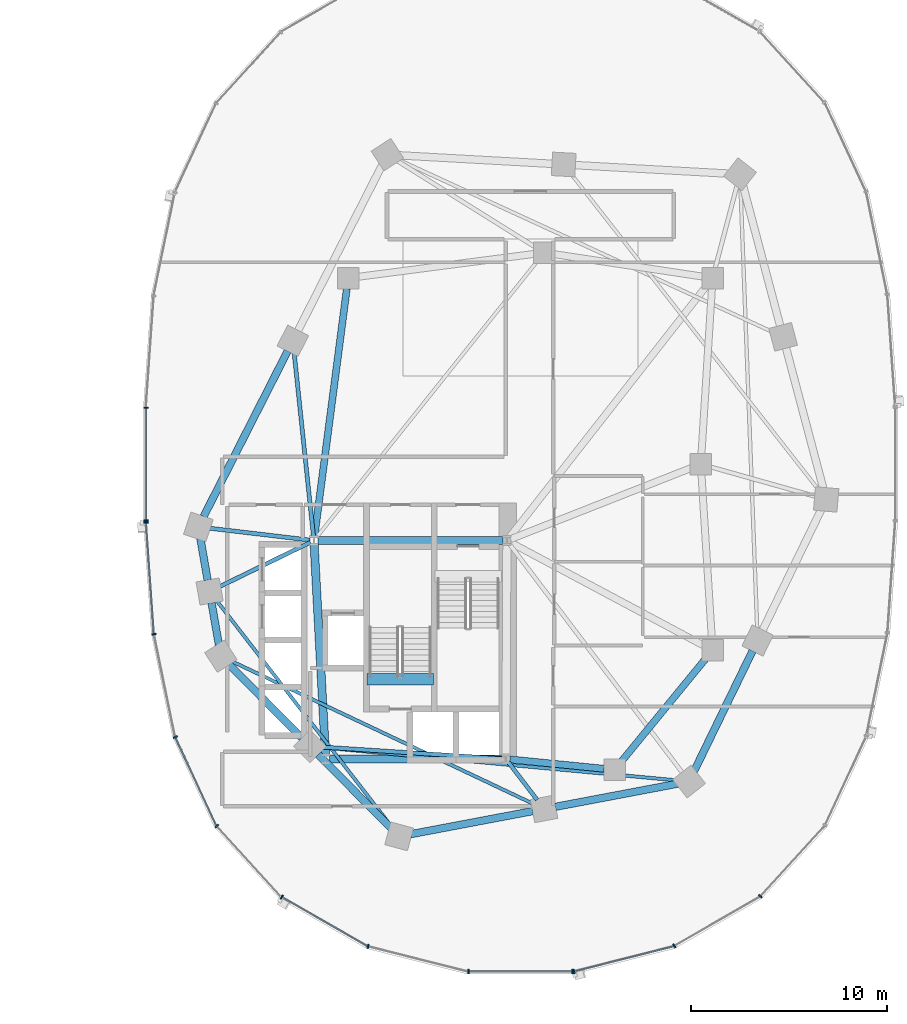
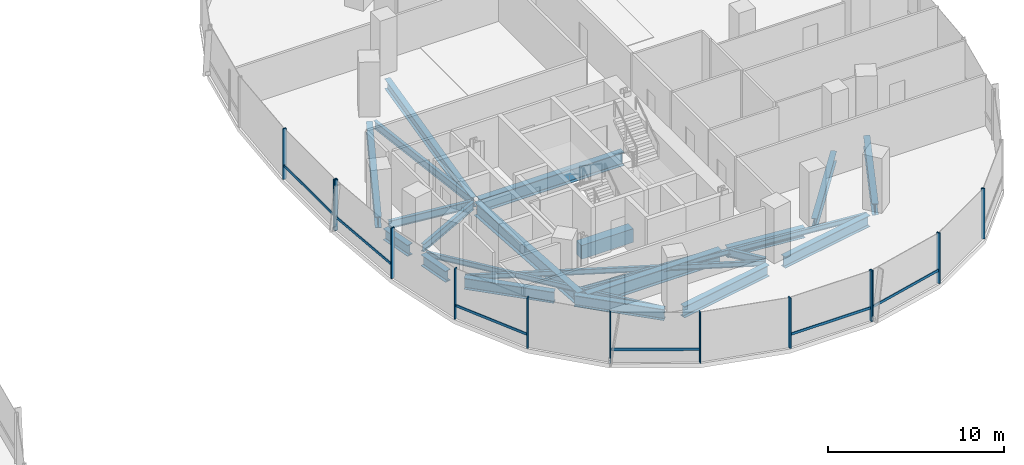
# One storey, part 5 of 21: 23 beams, 19 members, 3 elements without a shape of their own.
"""IFC4 building model written with IfcOpenShell, lengths in metres."""

from ifc_helpers import new_model, si_unit, direction, frame, origin, origin_2d, place, context, subcontext, project, spatial, rectangle, i_section, extrude, material, material_profile, profile_set, type_object, element, aggregate, save


model = new_model("IFC4")

# Units and contexts
model_context = context("Model", 3, precision=1e-05, world=origin(), true_north=direction((0.0, 1.0)))
body_context = subcontext(model_context, "Body", "Model", "MODEL_VIEW")
ifc_project = project(units=[si_unit("LENGTHUNIT", "METRE"), si_unit("AREAUNIT", "SQUARE_METRE"), si_unit("VOLUMEUNIT", "CUBIC_METRE"), si_unit("PLANEANGLEUNIT", "RADIAN"), si_unit("MASSUNIT", "GRAM", prefix="KILO"), si_unit("THERMODYNAMICTEMPERATUREUNIT", "KELVIN"), si_unit("POWERUNIT", "WATT")], contexts=[model_context])

# Site, building, storey
site_placement = place(None, origin())
site = spatial("IfcSite", under=ifc_project, at=site_placement, CompositionType="ELEMENT")
building_placement = place(site_placement, origin())
building = spatial("IfcBuilding", under=site, at=building_placement, Name="Cundina Bronze Exchange", CompositionType="ELEMENT")
storey_placement = place(building_placement, frame((0.0, 0.0, 46.800048828125)))
storey = spatial("IfcBuildingStorey", under=building, at=storey_placement, Name="L11", CompositionType="ELEMENT", Elevation=46.800048828125)

# Beams
ifc_material_1 = material(Name="Concrete C60/75", Category="concrete")
ifc_material_profile_1 = material_profile(ifc_material_1, rectangle(XDim=0.60009765625, YDim=0.949951171875, at=origin_2d()), Name="RC600X950", Category="concrete")
ifc_profile_set_1 = profile_set([ifc_material_profile_1], Name="Concrete C60/75")
beam_type_1 = type_object("IfcBeamType", Name="BM-COUP-RC950", PredefinedType="LINTEL", material=ifc_profile_set_1)
beam_1_placement = place(storey_placement, frame((24.159912109375, -10.97998046875, -0.47509765625), z_axis=(1.0, 0.0, 0.0), x_axis=(0.0, 1.0, 0.0)))
element("IfcBeam", 1, at=beam_1_placement, inside=storey, type_object=beam_type_1, Name="L11 Stair E2 Landing Header Beam", PredefinedType="LINTEL", context=body_context, shape_type="SweptSolid", body=[
    extrude(rectangle(XDim=0.60009765625, YDim=0.949951171875, at=origin_2d()), origin(), (0.0, 0.0, 1.0), 3.400146484375),
])
ifc_material_2 = material(Name="Steel ASTM A992 Grade 50", Category="steel")
ifc_material_profile_2 = material_profile(ifc_material_2, i_section(OverallWidth=0.2099609375, OverallDepth=0.532958984375, WebThickness=0.01025390625, FlangeThickness=0.015625, FilletRadius=0.013916015625, at=origin_2d()), Name="W21X62", Category="steel")
ifc_profile_set_2 = profile_set([ifc_material_profile_2], Name="Steel ASTM A992 Grade 50")
beam_type_2 = type_object("IfcBeamType", Name="BM-FLR-W21B", PredefinedType="BEAM", material=ifc_profile_set_2)
beam_2_placement = place(storey_placement, frame((21.247314453125, -3.8759765625, -0.566650390625), z_axis=(-0.993035236117, 0.117817739878, 0.0), x_axis=(-0.117817739878, -0.993035236117, 0.0)))
element("IfcBeam", 2, at=beam_2_placement, inside=storey, type_object=beam_type_2, Name="L11 Leg E Chordal Floor Beam 00", PredefinedType="BEAM", context=body_context, shape_type="SweptSolid", body=[
    extrude(i_section(OverallWidth=0.2099609375, OverallDepth=0.532958984375, WebThickness=0.01025390625, FlangeThickness=0.015625, FilletRadius=0.013916015625, at=origin_2d()), origin(), (0.0, 0.0, 1.0), 5.1494140625),
])
beam_3_placement = place(storey_placement, frame((21.2666015625, -3.989501953125, -0.566650390625), z_axis=(-0.898610249448, -0.438747785849, 0.0), x_axis=(0.438747785849, -0.898610249448, 0.0)))
element("IfcBeam", 3, at=beam_3_placement, inside=storey, type_object=beam_type_2, Name="L11 Leg E Chordal Floor Beam 01", PredefinedType="BEAM", context=body_context, shape_type="SweptSolid", body=[
    extrude(i_section(OverallWidth=0.2099609375, OverallDepth=0.532958984375, WebThickness=0.01025390625, FlangeThickness=0.015625, FilletRadius=0.013916015625, at=origin_2d()), origin(), (0.0, 0.0, 1.0), 5.1337890625),
])
beam_4_placement = place(storey_placement, frame((31.04638671875, -15.036865234375, -0.566650390625), z_axis=(-0.99789233798, 0.064891307594, 0.0), x_axis=(-0.064891307594, -0.99789233798, 0.0)))
element("IfcBeam", 4, at=beam_4_placement, inside=storey, type_object=beam_type_2, Name="L11 Leg E Chordal Floor Beam 03", PredefinedType="BEAM", context=body_context, shape_type="SweptSolid", body=[
    extrude(i_section(OverallWidth=0.2099609375, OverallDepth=0.532958984375, WebThickness=0.01025390625, FlangeThickness=0.015625, FilletRadius=0.013916015625, at=origin_2d()), origin(), (0.0, 0.0, 1.0), 9.22900390625),
])
beam_5_placement = place(storey_placement, frame((31.373779296875, -15.2119140625, -0.566650390625), z_axis=(0.607468844289, -0.794343504548, 0.0), x_axis=(0.794343504548, 0.607468844289, 0.0)))
element("IfcBeam", 5, at=beam_5_placement, inside=storey, type_object=beam_type_2, Name="L11 Leg E Chordal Floor Beam 05", PredefinedType="BEAM", context=body_context, shape_type="SweptSolid", body=[
    extrude(i_section(OverallWidth=0.2099609375, OverallDepth=0.532958984375, WebThickness=0.01025390625, FlangeThickness=0.015625, FilletRadius=0.013916015625, at=origin_2d()), origin(), (0.0, 0.0, 1.0), 2.418212890625),
])
beam_6_placement = place(storey_placement, frame((21.4287109375, -3.697021484375, -0.566650390625), z_axis=(-0.10483517787, 0.994489610544, 0.0), x_axis=(-0.994489610544, -0.10483517787, 0.0)))
element("IfcBeam", 6, at=beam_6_placement, inside=storey, type_object=beam_type_2, Name="L11 Leg E Chordal Floor Beam 13", PredefinedType="BEAM", context=body_context, shape_type="SweptSolid", body=[
    extrude(i_section(OverallWidth=0.2099609375, OverallDepth=0.532958984375, WebThickness=0.01025390625, FlangeThickness=0.015625, FilletRadius=0.013916015625, at=origin_2d()), origin(), (0.0, 0.0, 1.0), 9.46435546875),
])
ifc_material_profile_3 = material_profile(ifc_material_2, i_section(OverallWidth=0.172119140625, OverallDepth=0.35791015625, WebThickness=0.0078125, FlangeThickness=0.01318359375, FilletRadius=0.010009765625, at=origin_2d()), Name="W14X38", Category="steel")
ifc_profile_set_3 = profile_set([ifc_material_profile_3], Name="Steel ASTM A992 Grade 50")
beam_type_3 = type_object("IfcBeamType", Name="BM-JST-W14", PredefinedType="JOIST", material=ifc_profile_set_3)
beam_7_placement = place(storey_placement, frame((16.48486328125, -6.965087890625, -0.47900390625), z_axis=(0.612089386305, -0.790788583108, 0.0), x_axis=(0.790788583108, 0.612089386305, 0.0)))
element("IfcBeam", 7, at=beam_7_placement, inside=storey, type_object=beam_type_3, Name="L11 Leg E Lobe Floor Joist 01-04", PredefinedType="JOIST", context=body_context, shape_type="SweptSolid", body=[
    extrude(i_section(OverallWidth=0.172119140625, OverallDepth=0.35791015625, WebThickness=0.0078125, FlangeThickness=0.01318359375, FilletRadius=0.010009765625, at=origin_2d()), origin(), (0.0, 0.0, 1.0), 14.630859375),
])
beam_8_placement = place(storey_placement, frame((17.231689453125, -10.05126953125, -0.47900390625), z_axis=(0.904072668297, -0.427378766949, 0.0), x_axis=(0.427378766949, 0.904072668297, 0.0)))
element("IfcBeam", 8, at=beam_8_placement, inside=storey, type_object=beam_type_3, Name="L11 Leg E Lobe Floor Joist 02-05", PredefinedType="JOIST", context=body_context, shape_type="SweptSolid", body=[
    extrude(i_section(OverallWidth=0.172119140625, OverallDepth=0.35791015625, WebThickness=0.0078125, FlangeThickness=0.01318359375, FilletRadius=0.010009765625, at=origin_2d()), origin(), (0.0, 0.0, 1.0), 17.07470703125),
])
beam_9_placement = place(storey_placement, frame((21.83544921875, -14.45458984375, -0.47900390625), z_axis=(0.995701961644, -0.09261535282, 0.0), x_axis=(0.09261535282, 0.995701961644, 0.0)))
element("IfcBeam", 9, at=beam_9_placement, inside=storey, type_object=beam_type_3, Name="L11 Leg E Lobe Floor Joist 03-06", PredefinedType="JOIST", context=body_context, shape_type="SweptSolid", body=[
    extrude(i_section(OverallWidth=0.172119140625, OverallDepth=0.35791015625, WebThickness=0.0078125, FlangeThickness=0.01318359375, FilletRadius=0.010009765625, at=origin_2d()), origin(), (0.0, 0.0, 1.0), 18.25732421875),
])
ifc_material_profile_4 = material_profile(ifc_material_2, i_section(OverallWidth=0.35498046875, OverallDepth=0.695068359375, WebThickness=0.015380859375, FlangeThickness=0.02490234375, FilletRadius=0.01806640625, at=origin_2d()), Name="W27X146", Category="steel")
ifc_profile_set_4 = profile_set([ifc_material_profile_4], Name="Steel ASTM A992 Grade 50")
beam_type_4 = type_object("IfcBeamType", Name="BM-RING-W27", PredefinedType="USERDEFINED", material=ifc_profile_set_4)
beam_10_placement = place(storey_placement, frame((31.452880859375, -15.070068359375, -0.6474609375), z_axis=(0.995126271817, -0.098608839051, 0.0), x_axis=(0.098608839051, 0.995126271817, 0.0)))
element("IfcBeam", 10, at=beam_10_placement, inside=storey, type_object=beam_type_4, Name="L11 E Inner Structural Ring Girder 01", ObjectType="GIRDER", PredefinedType="USERDEFINED", context=body_context, shape_type="SweptSolid", body=[
    extrude(i_section(OverallWidth=0.35498046875, OverallDepth=0.695068359375, WebThickness=0.015380859375, FlangeThickness=0.02490234375, FilletRadius=0.01806640625, at=origin_2d()), origin(), (0.0, 0.0, 1.0), 4.83544921875),
])
beam_11_placement = place(storey_placement, frame((37.14111328125, -15.183837890625, -0.6474609375), z_axis=(0.633926549035, 0.773393257295, 0.0), x_axis=(-0.773393257295, 0.633926549035, 0.0)))
element("IfcBeam", 11, at=beam_11_placement, inside=storey, type_object=beam_type_4, Name="L11 E Inner Structural Ring Girder 02", ObjectType="GIRDER", PredefinedType="USERDEFINED", context=body_context, shape_type="SweptSolid", body=[
    extrude(i_section(OverallWidth=0.35498046875, OverallDepth=0.695068359375, WebThickness=0.015380859375, FlangeThickness=0.02490234375, FilletRadius=0.01806640625, at=origin_2d()), origin(), (0.0, 0.0, 1.0), 6.811279296875),
])
beam_12_placement = place(storey_placement, frame((23.13037109375, 8.966552734375, -0.6474609375), z_axis=(-0.129507526533, -0.99157843894, 0.0), x_axis=(0.99157843894, -0.129507526533, 0.0)))
element("IfcBeam", 12, at=beam_12_placement, inside=storey, type_object=beam_type_4, Name="L11 E Inner Structural Ring Girder 07", ObjectType="GIRDER", PredefinedType="USERDEFINED", context=body_context, shape_type="SweptSolid", body=[
    extrude(i_section(OverallWidth=0.35498046875, OverallDepth=0.695068359375, WebThickness=0.015380859375, FlangeThickness=0.02490234375, FilletRadius=0.01806640625, at=origin_2d()), origin(), (0.0, 0.0, 1.0), 12.77197265625),
])
ifc_material_profile_5 = material_profile(ifc_material_2, i_section(OverallWidth=0.381103515625, OverallDepth=0.77294921875, WebThickness=0.0166015625, FlangeThickness=0.027099609375, FilletRadius=0.01904296875, at=origin_2d()), Name="W30X173", Category="steel")
ifc_profile_set_5 = profile_set([ifc_material_profile_5], Name="Steel ASTM A992 Grade 50")
beam_type_5 = type_object("IfcBeamType", Name="BM-RING-W30", PredefinedType="USERDEFINED", material=ifc_profile_set_5)
for number, where, z_axis, x_axis, name in (
    (13, (15.65087890625, -3.779296875, -0.6865234375), (0.171734584051, -0.985143254883, 0.0), (0.985143254883, 0.171734584051, 0.0), "L11 E Perimeter Ring Girder 00"),
    (14, (16.225830078125, -7.079345703125, -0.6865234375), (0.171734584051, -0.985143254883, 0.0), (0.985143254883, 0.171734584051, 0.0), "L11 E Perimeter Ring Girder 01"),
):
    element("IfcBeam", number, at=place(storey_placement, frame(where, z_axis=z_axis, x_axis=x_axis)), inside=storey, type_object=beam_type_5, Name=name, ObjectType="GIRDER", PredefinedType="USERDEFINED", context=body_context, shape_type="SweptSolid", body=[
        extrude(i_section(OverallWidth=0.381103515625, OverallDepth=0.77294921875, WebThickness=0.0166015625, FlangeThickness=0.027099609375, FilletRadius=0.01904296875, at=origin_2d()), origin(), (0.0, 0.0, 1.0), 2.173583984375),
    ])
for number, where, z_axis, x_axis, name in (
    (15, (17.113525390625, -10.218017578125, -0.6865234375), (0.703222428859, -0.710969911845, 0.0), (0.710969911845, 0.703222428859, 0.0), "L11 E Perimeter Ring Girder 02"),
    (16, (21.66357421875, -14.818115234375, -0.6865234375), (0.703222428859, -0.710969911845, 0.0), (0.710969911845, 0.703222428859, 0.0), "L11 E Perimeter Ring Girder 03"),
):
    element("IfcBeam", number, at=place(storey_placement, frame(where, z_axis=z_axis, x_axis=x_axis)), inside=storey, type_object=beam_type_5, Name=name, ObjectType="GIRDER", PredefinedType="USERDEFINED", context=body_context, shape_type="SweptSolid", body=[
        extrude(i_section(OverallWidth=0.381103515625, OverallDepth=0.77294921875, WebThickness=0.0166015625, FlangeThickness=0.027099609375, FilletRadius=0.01904296875, at=origin_2d()), origin(), (0.0, 0.0, 1.0), 5.2939453125),
    ])
beam_13_placement = place(storey_placement, frame((26.377685546875, -18.890625, -0.6865234375), z_axis=(0.982570814598, 0.185888661031, 0.0), x_axis=(-0.185888661031, 0.982570814598, 0.0)))
element("IfcBeam", 17, at=beam_13_placement, inside=storey, type_object=beam_type_5, Name="L11 E Perimeter Ring Girder 04", ObjectType="GIRDER", PredefinedType="USERDEFINED", context=body_context, shape_type="SweptSolid", body=[
    extrude(i_section(OverallWidth=0.381103515625, OverallDepth=0.77294921875, WebThickness=0.0166015625, FlangeThickness=0.027099609375, FilletRadius=0.01904296875, at=origin_2d()), origin(), (0.0, 0.0, 1.0), 6.35546875),
])
beam_14_placement = place(storey_placement, frame((33.77783203125, -17.49072265625, -0.6865234375), z_axis=(0.982569487119, 0.185895677686, 0.0), x_axis=(-0.185895677686, 0.982569487119, 0.0)))
element("IfcBeam", 18, at=beam_14_placement, inside=storey, type_object=beam_type_5, Name="L11 E Perimeter Ring Girder 05", ObjectType="GIRDER", PredefinedType="USERDEFINED", context=body_context, shape_type="SweptSolid", body=[
    extrude(i_section(OverallWidth=0.381103515625, OverallDepth=0.77294921875, WebThickness=0.0166015625, FlangeThickness=0.027099609375, FilletRadius=0.01904296875, at=origin_2d()), origin(), (0.0, 0.0, 1.0), 6.355224609375),
])
beam_15_placement = place(storey_placement, frame((40.857177734375, -15.671142578125, -0.6865234375), z_axis=(0.437190698904, 0.899368830231, 0.0), x_axis=(-0.899368830231, 0.437190698904, 0.0)))
element("IfcBeam", 19, at=beam_15_placement, inside=storey, type_object=beam_type_5, Name="L11 E Perimeter Ring Girder 06", ObjectType="GIRDER", PredefinedType="USERDEFINED", context=body_context, shape_type="SweptSolid", body=[
    extrude(i_section(OverallWidth=0.381103515625, OverallDepth=0.77294921875, WebThickness=0.0166015625, FlangeThickness=0.027099609375, FilletRadius=0.01904296875, at=origin_2d()), origin(), (0.0, 0.0, 1.0), 6.82958984375),
])
beam_16_placement = place(storey_placement, frame((20.108642578125, 5.775634765625, -0.6865234375), z_axis=(-0.452819633606, -0.891602141889, 0.0), x_axis=(0.891602141889, -0.452819633606, 0.0)))
element("IfcBeam", 20, at=beam_16_placement, inside=storey, type_object=beam_type_5, Name="L11 E Perimeter Ring Girder 13", ObjectType="GIRDER", PredefinedType="USERDEFINED", context=body_context, shape_type="SweptSolid", body=[
    extrude(i_section(OverallWidth=0.381103515625, OverallDepth=0.77294921875, WebThickness=0.0166015625, FlangeThickness=0.027099609375, FilletRadius=0.01904296875, at=origin_2d()), origin(), (0.0, 0.0, 1.0), 9.47900390625),
])
ifc_material_profile_6 = material_profile(ifc_material_2, i_section(OverallWidth=0.41796875, OverallDepth=0.927001953125, WebThickness=0.019287109375, FlangeThickness=0.031982421875, FilletRadius=0.02392578125, at=origin_2d()), Name="W36X231", Category="steel")
ifc_profile_set_6 = profile_set([ifc_material_profile_6], Name="Steel ASTM A992 Grade 50")
beam_type_6 = type_object("IfcBeamType", Name="BM-WRN-W36B", PredefinedType="USERDEFINED", material=ifc_profile_set_6)
beam_17_placement = place(storey_placement, frame((31.095947265625, -3.89990234375, -0.763427734375), z_axis=(-1.0, 0.0, 0.0), x_axis=(0.0, -1.0, 0.0)))
element("IfcBeam", 21, at=beam_17_placement, inside=storey, type_object=beam_type_6, Name="L11 E Core Perimeter Tie Girder 1", ObjectType="GIRDER", PredefinedType="USERDEFINED", context=body_context, shape_type="SweptSolid", body=[
    extrude(i_section(OverallWidth=0.41796875, OverallDepth=0.927001953125, WebThickness=0.019287109375, FlangeThickness=0.031982421875, FilletRadius=0.02392578125, at=origin_2d()), origin(), (0.0, 0.0, 1.0), 9.44189453125),
])
beam_18_placement = place(storey_placement, frame((21.4609375, -4.103759765625, -0.763427734375), z_axis=(0.053739193498, -0.998555005537, 0.0), x_axis=(0.998555005537, 0.053739193498, 0.0)))
element("IfcBeam", 22, at=beam_18_placement, inside=storey, type_object=beam_type_6, Name="L11 E Core Perimeter Tie Girder 2", ObjectType="GIRDER", PredefinedType="USERDEFINED", context=body_context, shape_type="SweptSolid", body=[
    extrude(i_section(OverallWidth=0.41796875, OverallDepth=0.927001953125, WebThickness=0.019287109375, FlangeThickness=0.031982421875, FilletRadius=0.02392578125, at=origin_2d()), origin(), (0.0, 0.0, 1.0), 10.758056640625),
])
beam_19_placement = place(storey_placement, frame((22.25390625, -15.050048828125, -0.763427734375), z_axis=(1.0, 0.0, 0.0), x_axis=(0.0, 1.0, 0.0)))
element("IfcBeam", 23, at=beam_19_placement, inside=storey, type_object=beam_type_6, Name="L11 E Core Perimeter Tie Girder 3", ObjectType="GIRDER", PredefinedType="USERDEFINED", context=body_context, shape_type="SweptSolid", body=[
    extrude(i_section(OverallWidth=0.41796875, OverallDepth=0.927001953125, WebThickness=0.019287109375, FlangeThickness=0.031982421875, FilletRadius=0.02392578125, at=origin_2d()), origin(), (0.0, 0.0, 1.0), 8.7919921875),
])

# Curtain wall, members
ifc_material_3 = material(Name="Anodised Bronze Aluminium 6063-T6", Category="aluminium")
curtain_wall_type = type_object("IfcCurtainWallType", Name="CWS-TRD-LOW", PredefinedType="NOTDEFINED", material=ifc_material_3)
curtain_wall_1_placement = place(storey_placement, origin())
curtain_wall_1 = element("IfcCurtainWall", 24, at=curtain_wall_1_placement, inside=storey, type_object=curtain_wall_type, Name="L11 CW-02 Curtain Wall Run CWR-L11-E2", PredefinedType="NOTDEFINED")
ifc_material_profile_7 = material_profile(ifc_material_3, rectangle(XDim=0.074951171875, YDim=0.219970703125, at=origin_2d()), Name="AL75X220", Category="aluminium")
ifc_profile_set_7 = profile_set([ifc_material_profile_7], Name="Anodised Bronze Aluminium 6063-T6")
member_type_1 = type_object("IfcMemberType", Name="CWM-MUL-220", PredefinedType="MULLION", material=ifc_profile_set_7)
member_1_placement = place(storey_placement, frame((12.8720703125, 2.880615234375, 0.0), z_axis=(0.0, 0.0, 1.0), x_axis=(0.0, -1.0, 0.0)))
member_1 = element("IfcMember", 25, at=member_1_placement, type_object=member_type_1, Name="CW-02 Mullion 7", PredefinedType="MULLION", context=body_context, shape_type="SweptSolid", body=[
    extrude(rectangle(XDim=0.074951171875, YDim=0.219970703125, at=origin_2d()), origin(), (0.0, 0.0, 1.0), 3.5),
])
member_2_placement = place(storey_placement, frame((12.8720703125, -2.880615234375, 0.0), z_axis=(0.0, 0.0, 1.0), x_axis=(0.0, -1.0, 0.0)))
member_2 = element("IfcMember", 26, at=member_2_placement, type_object=member_type_1, Name="CW-02 End Mullion", PredefinedType="MULLION", context=body_context, shape_type="SweptSolid", body=[
    extrude(rectangle(XDim=0.074951171875, YDim=0.219970703125, at=origin_2d()), origin(), (0.0, 0.0, 1.0), 3.5),
])

curtain_wall_2_placement = place(storey_placement, origin())
curtain_wall_2 = element("IfcCurtainWall", 27, at=curtain_wall_2_placement, inside=storey, type_object=curtain_wall_type, Name="L11 CW-02 Curtain Wall Run CWR-L11-E3", PredefinedType="NOTDEFINED")
member_3_placement = place(storey_placement, frame((12.87548828125, -2.976318359375, 0.0), z_axis=(0.0, 0.0, 1.0), x_axis=(0.070278787473, -0.997527389113, 0.0)))
member_3 = element("IfcMember", 28, at=member_3_placement, type_object=member_type_1, Name="CW-02 Mullion 1", PredefinedType="MULLION", context=body_context, shape_type="SweptSolid", body=[
    extrude(rectangle(XDim=0.074951171875, YDim=0.219970703125, at=origin_2d()), origin(), (0.0, 0.0, 1.0), 3.5),
])
member_4_placement = place(storey_placement, frame((13.282958984375, -8.67822265625, 0.0), z_axis=(0.0, 0.0, 1.0), x_axis=(0.201419845156, -0.979505000486, 0.0)))
member_4 = element("IfcMember", 29, at=member_4_placement, type_object=member_type_1, Name="CW-02 Mullion 2", PredefinedType="MULLION", context=body_context, shape_type="SweptSolid", body=[
    extrude(rectangle(XDim=0.074951171875, YDim=0.219970703125, at=origin_2d()), origin(), (0.0, 0.0, 1.0), 3.5),
])
member_5_placement = place(storey_placement, frame((14.3720703125, -13.931884765625, 0.0), z_axis=(0.0, 0.0, 1.0), x_axis=(0.42087749791, -0.907117485088, 0.0)))
member_5 = element("IfcMember", 30, at=member_5_placement, type_object=member_type_1, Name="CW-02 Mullion 3", PredefinedType="MULLION", context=body_context, shape_type="SweptSolid", body=[
    extrude(rectangle(XDim=0.074951171875, YDim=0.219970703125, at=origin_2d()), origin(), (0.0, 0.0, 1.0), 3.5),
])
member_6_placement = place(storey_placement, frame((16.491455078125, -18.47705078125, 0.0), z_axis=(0.0, 0.0, 1.0), x_axis=(0.674302387584, -0.738455340626, 0.0)))
member_6 = element("IfcMember", 31, at=member_6_placement, type_object=member_type_1, Name="CW-02 Mullion 4", PredefinedType="MULLION", context=body_context, shape_type="SweptSolid", body=[
    extrude(rectangle(XDim=0.074951171875, YDim=0.219970703125, at=origin_2d()), origin(), (0.0, 0.0, 1.0), 3.5),
])
member_7_placement = place(storey_placement, frame((19.810302734375, -22.097412109375, 0.0), z_axis=(0.0, 0.0, 1.0), x_axis=(0.867070701164, -0.498185105339, 0.0)))
member_7 = element("IfcMember", 32, at=member_7_placement, type_object=member_type_1, Name="CW-02 Mullion 5", PredefinedType="MULLION", context=body_context, shape_type="SweptSolid", body=[
    extrude(rectangle(XDim=0.074951171875, YDim=0.219970703125, at=origin_2d()), origin(), (0.0, 0.0, 1.0), 3.5),
])
member_8_placement = place(storey_placement, frame((24.21484375, -24.61669921875, 0.0), z_axis=(0.0, 0.0, 1.0), x_axis=(0.969488149345, -0.245138182011, 0.0)))
member_8 = element("IfcMember", 33, at=member_8_placement, type_object=member_type_1, Name="CW-02 Mullion 6", PredefinedType="MULLION", context=body_context, shape_type="SweptSolid", body=[
    extrude(rectangle(XDim=0.074951171875, YDim=0.219970703125, at=origin_2d()), origin(), (0.0, 0.0, 1.0), 3.5),
])
member_9_placement = place(storey_placement, frame((29.345458984375, -25.905029296875, 0.0), z_axis=(0.0, 0.0, 1.0), x_axis=(1.0, 0.0, 0.0)))
member_9 = element("IfcMember", 34, at=member_9_placement, type_object=member_type_1, Name="CW-02 Mullion 7", PredefinedType="MULLION", context=body_context, shape_type="SweptSolid", body=[
    extrude(rectangle(XDim=0.074951171875, YDim=0.219970703125, at=origin_2d()), origin(), (0.0, 0.0, 1.0), 3.5),
])
member_10_placement = place(storey_placement, frame((34.654541015625, -25.905029296875, 0.0), z_axis=(0.0, 0.0, 1.0), x_axis=(1.0, 0.0, 0.0)))
member_10 = element("IfcMember", 35, at=member_10_placement, type_object=member_type_1, Name="CW-02 End Mullion", PredefinedType="MULLION", context=body_context, shape_type="SweptSolid", body=[
    extrude(rectangle(XDim=0.074951171875, YDim=0.219970703125, at=origin_2d()), origin(), (0.0, 0.0, 1.0), 3.5),
])

curtain_wall_3_placement = place(storey_placement, origin())
curtain_wall_3 = element("IfcCurtainWall", 36, at=curtain_wall_3_placement, inside=storey, type_object=curtain_wall_type, Name="L11 CW-02 Curtain Wall Run CWR-L11-E4", PredefinedType="NOTDEFINED")
member_11_placement = place(storey_placement, frame((34.72607421875, -25.89599609375, 0.0), z_axis=(0.0, 0.0, 1.0), x_axis=(0.969488149345, 0.245138182011, 0.0)))
member_11 = element("IfcMember", 37, at=member_11_placement, type_object=member_type_1, Name="CW-02 Mullion 1", PredefinedType="MULLION", context=body_context, shape_type="SweptSolid", body=[
    extrude(rectangle(XDim=0.074951171875, YDim=0.219970703125, at=origin_2d()), origin(), (0.0, 0.0, 1.0), 3.5),
])
member_12_placement = place(storey_placement, frame((39.848876953125, -24.591064453125, 0.0), z_axis=(0.0, 0.0, 1.0), x_axis=(0.867070701164, 0.498185105339, 0.0)))
member_12 = element("IfcMember", 38, at=member_12_placement, type_object=member_type_1, Name="CW-02 Mullion 2", PredefinedType="MULLION", context=body_context, shape_type="SweptSolid", body=[
    extrude(rectangle(XDim=0.074951171875, YDim=0.219970703125, at=origin_2d()), origin(), (0.0, 0.0, 1.0), 3.5),
])
member_13_placement = place(storey_placement, frame((44.239501953125, -22.0576171875, 0.0), z_axis=(0.0, 0.0, 1.0), x_axis=(0.674302387584, 0.738455340626, 0.0)))
member_13 = element("IfcMember", 39, at=member_13_placement, type_object=member_type_1, Name="CW-02 Mullion 3", PredefinedType="MULLION", context=body_context, shape_type="SweptSolid", body=[
    extrude(rectangle(XDim=0.074951171875, YDim=0.219970703125, at=origin_2d()), origin(), (0.0, 0.0, 1.0), 3.5),
])

# Member
ifc_material_profile_8 = material_profile(ifc_material_3, rectangle(XDim=0.070068359375, YDim=0.179931640625, at=origin_2d()), Name="AL70X180", Category="aluminium")
ifc_profile_set_8 = profile_set([ifc_material_profile_8], Name="Anodised Bronze Aluminium 6063-T6")
member_type_2 = type_object("IfcMemberType", Name="CWM-TRN-180", PredefinedType="USERDEFINED", material=ifc_profile_set_8)
member_14_placement = place(storey_placement, frame((12.8720703125, 2.839111328125, 0.919921875), z_axis=(0.0, -1.0, 0.0), x_axis=(1.0, 0.0, 0.0)))
member_14 = element("IfcMember", 40, at=member_14_placement, type_object=member_type_2, Name="CW-02 Spandrel Transom 7", ObjectType="TRANSOM", PredefinedType="USERDEFINED", context=body_context, shape_type="SweptSolid", body=[
    extrude(rectangle(XDim=0.070068359375, YDim=0.179931640625, at=origin_2d()), origin(), (0.0, 0.0, 1.0), 5.67822265625),
])

aggregate(curtain_wall_1, [member_1, member_2, member_14])

member_15_placement = place(storey_placement, frame((12.87841796875, -3.017333984375, 0.919921875), z_axis=(0.070260714471, -0.997528662246, 0.0), x_axis=(0.997528662246, 0.070260714471, 0.0)))
member_15 = element("IfcMember", 41, at=member_15_placement, type_object=member_type_2, Name="CW-02 Spandrel Transom 1", ObjectType="TRANSOM", PredefinedType="USERDEFINED", context=body_context, shape_type="SweptSolid", body=[
    extrude(rectangle(XDim=0.070068359375, YDim=0.179931640625, at=origin_2d()), origin(), (0.0, 0.0, 1.0), 5.629150390625),
])

member_16_placement = place(storey_placement, frame((14.389404296875, -13.96923828125, 0.919921875), z_axis=(0.420811422796, -0.907148139195, 0.0), x_axis=(0.907148139195, 0.420811422796, 0.0)))
member_16 = element("IfcMember", 42, at=member_16_placement, type_object=member_type_2, Name="CW-02 Spandrel Transom 3", ObjectType="TRANSOM", PredefinedType="USERDEFINED", context=body_context, shape_type="SweptSolid", body=[
    extrude(rectangle(XDim=0.070068359375, YDim=0.179931640625, at=origin_2d()), origin(), (0.0, 0.0, 1.0), 4.95166015625),
])

member_17_placement = place(storey_placement, frame((19.845947265625, -22.117919921875, 0.919921875), z_axis=(0.867097475651, -0.498138502546, 0.0), x_axis=(0.498138502546, 0.867097475651, 0.0)))
member_17 = element("IfcMember", 43, at=member_17_placement, type_object=member_type_2, Name="CW-02 Spandrel Transom 5", ObjectType="TRANSOM", PredefinedType="USERDEFINED", context=body_context, shape_type="SweptSolid", body=[
    extrude(rectangle(XDim=0.070068359375, YDim=0.179931640625, at=origin_2d()), origin(), (0.0, 0.0, 1.0), 5.00634765625),
])

member_18_placement = place(storey_placement, frame((29.38671875, -25.905029296875, 0.919921875), z_axis=(1.0, 0.0, 0.0), x_axis=(0.0, 1.0, 0.0)))
member_18 = element("IfcMember", 44, at=member_18_placement, type_object=member_type_2, Name="CW-02 Spandrel Transom 7", ObjectType="TRANSOM", PredefinedType="USERDEFINED", context=body_context, shape_type="SweptSolid", body=[
    extrude(rectangle(XDim=0.070068359375, YDim=0.179931640625, at=origin_2d()), origin(), (0.0, 0.0, 1.0), 5.2265625),
])

aggregate(curtain_wall_2, [member_3, member_15, member_4, member_5, member_16, member_6, member_7, member_17, member_8, member_9, member_10, member_18])

member_19_placement = place(storey_placement, frame((34.76611328125, -25.885986328125, 0.919921875), z_axis=(0.969483968866, 0.245154714644, 0.0), x_axis=(-0.245154714644, 0.969483968866, 0.0)))
member_19 = element("IfcMember", 45, at=member_19_placement, type_object=member_type_2, Name="CW-02 Spandrel Transom 1", ObjectType="TRANSOM", PredefinedType="USERDEFINED", context=body_context, shape_type="SweptSolid", body=[
    extrude(rectangle(XDim=0.070068359375, YDim=0.179931640625, at=origin_2d()), origin(), (0.0, 0.0, 1.0), 5.21826171875),
])

aggregate(curtain_wall_3, [member_11, member_19, member_12, member_13])

save(model, "model.ifc")
